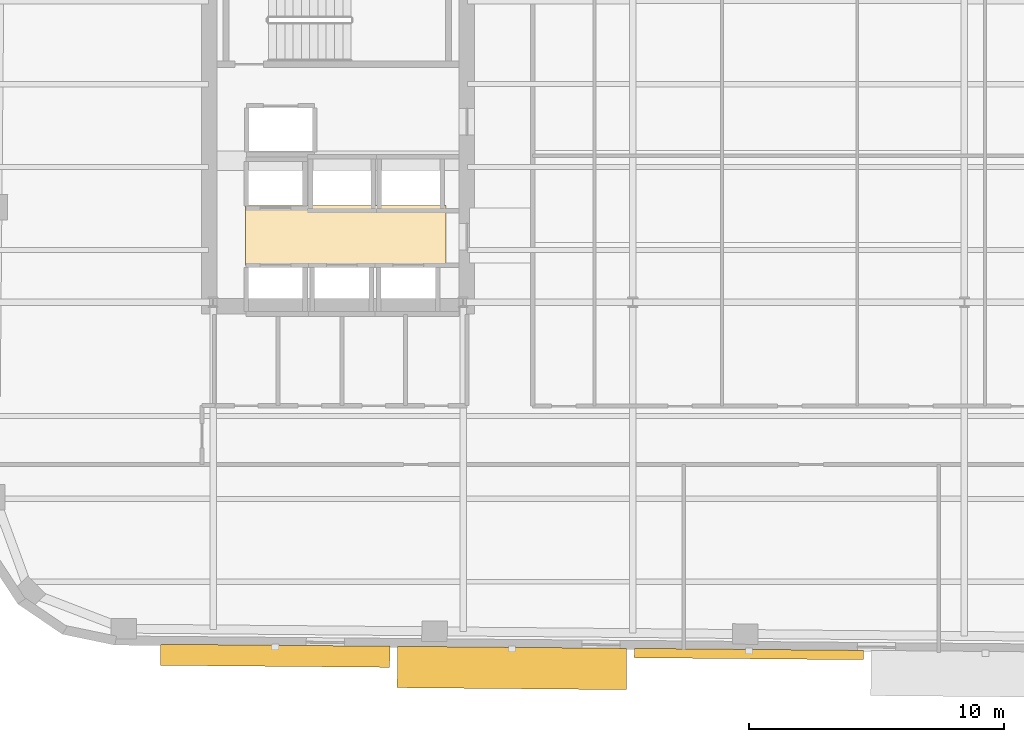
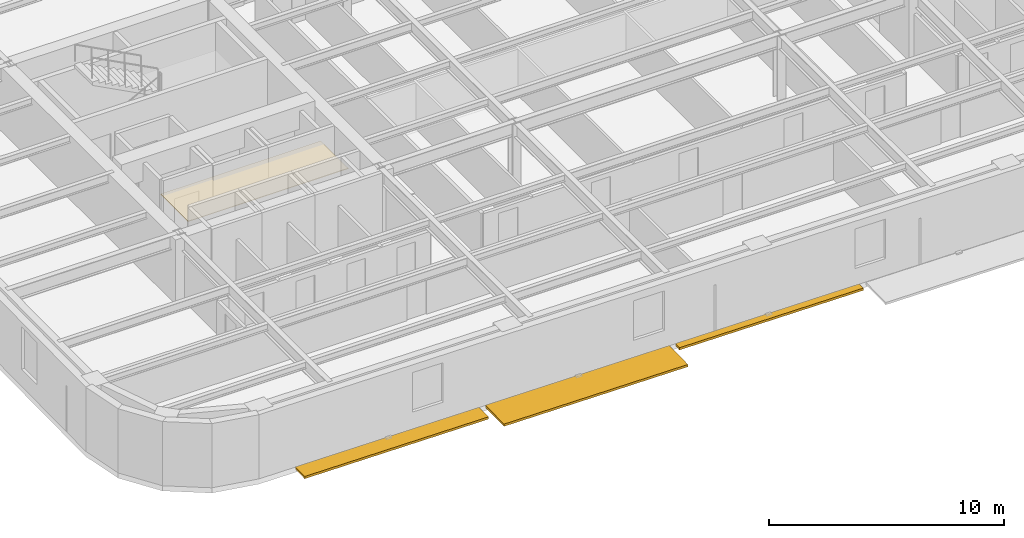
# One storey, part 8 of 11: 3 shading devices, 1 covering.
"""IFC4 building model written with IfcOpenShell, lengths in metres."""

from ifc_helpers import new_model, si_unit, direction, frame, origin, origin_2d, place, context, subcontext, project, spatial, polyline, rectangle, outline, extrude, material, layer, layer_set, type_object, element, save


model = new_model("IFC4")

# Units and contexts
model_context = context("Model", 3, precision=1e-05, world=origin(), true_north=direction((0.0, 1.0)))
body_context = subcontext(model_context, "Body", "Model", "MODEL_VIEW")
ifc_project = project(units=[si_unit("LENGTHUNIT", "METRE"), si_unit("AREAUNIT", "SQUARE_METRE"), si_unit("VOLUMEUNIT", "CUBIC_METRE"), si_unit("PLANEANGLEUNIT", "RADIAN"), si_unit("MASSUNIT", "GRAM", prefix="KILO")], contexts=[model_context])

# Site, building, storey
site_placement = place(None, origin())
site = spatial("IfcSite", under=ifc_project, at=site_placement, CompositionType="ELEMENT")
building_placement = place(site_placement, origin())
building = spatial("IfcBuilding", under=site, at=building_placement, Name="Kolvaren Arena Tower", CompositionType="ELEMENT")
storey_placement = place(building_placement, frame((0.0, 0.0, 207.199951171875)))
storey = spatial("IfcBuildingStorey", under=building, at=storey_placement, Name="L50", CompositionType="ELEMENT", Elevation=207.199951171875)

# Covering
ifc_material_1 = material(Name="Moisture-resistant gypsum ceiling", Category="gypsum")
ifc_layer = layer(ifc_material_1, 0.030029296875)
ifc_layer_set = layer_set([ifc_layer], Name="Moisture-resistant gypsum ceiling")
covering_type = type_object("IfcCoveringType", Name="CEIL-GYP-1", PredefinedType="CEILING", material=ifc_layer_set)
covering_placement = place(storey_placement, frame((0.0, 0.0, 2.52001953125)))
element("IfcCovering", 1, at=covering_placement, inside=storey, type_object=covering_type, Name="Suspended Ceiling (L50)", PredefinedType="CEILING", context=body_context, shape_type="SweptSolid", body=[
    extrude(outline(polyline([(15.820068359375, 20.89990234375), (15.820068359375, 23.239990234375), (23.679931640625, 23.239990234375), (23.679931640625, 20.89990234375), (15.820068359375, 20.89990234375)])), origin(), (0.0, 0.0, 1.0), 0.030029296875),
])

# Shading devices
ifc_material_2 = material(Name="Architectural precast GFRC and anodised aluminium sunshade", Category="concrete")
shading_device_type_1 = type_object("IfcShadingDeviceType", Name="SHAD-SINE-A", PredefinedType="USERDEFINED", material=ifc_material_2)
shading_device_1_placement = place(storey_placement, frame((35.5498046875, 5.666015625, -0.139892578125), z_axis=(0.0, 0.0, 1.0), x_axis=(-0.999961923064, 0.008726535498, 0.0)))
element("IfcShadingDevice", 2, at=shading_device_1_placement, inside=storey, type_object=shading_device_type_1, Name="Sinusoidal Slab-Edge Sunshade Louvre (L50)", ObjectType="LOUVRE", PredefinedType="USERDEFINED", context=body_context, shape_type="SweptSolid", body=[
    extrude(rectangle(XDim=8.97998046875, YDim=0.36669921875, at=origin_2d()), origin(), (0.0, 0.0, 1.0), 0.1201171875),
])
shading_device_2_placement = place(storey_placement, frame((16.988525390625, 5.59814453125, -0.139892578125), z_axis=(0.0, 0.0, 1.0), x_axis=(-0.999961923064, 0.008726535498, 0.0)))
element("IfcShadingDevice", 3, at=shading_device_2_placement, inside=storey, type_object=shading_device_type_1, Name="Sinusoidal Slab-Edge Sunshade Louvre (L50)", ObjectType="LOUVRE", PredefinedType="USERDEFINED", context=body_context, shape_type="SweptSolid", body=[
    extrude(rectangle(XDim=8.97998046875, YDim=0.82666015625, at=origin_2d()), origin(), (0.0, 0.0, 1.0), 0.1201171875),
])
shading_device_type_2 = type_object("IfcShadingDeviceType", Name="SHAD-SINE-B", PredefinedType="JALOUSIE", material=ifc_material_2)
shading_device_3_placement = place(storey_placement, frame((26.264892578125, 5.1201171875, -0.139892578125), z_axis=(0.0, 0.0, 1.0), x_axis=(-0.999961923064, 0.008726535498, 0.0)))
element("IfcShadingDevice", 4, at=shading_device_3_placement, inside=storey, type_object=shading_device_type_2, Name="Sinusoidal Slab-Edge Sunshade Louvre (L50)", PredefinedType="JALOUSIE", context=body_context, shape_type="SweptSolid", body=[
    extrude(rectangle(XDim=8.97998046875, YDim=1.62060546875, at=origin_2d()), origin(), (0.0, 0.0, 1.0), 0.1201171875),
])

save(model, "model.ifc")
